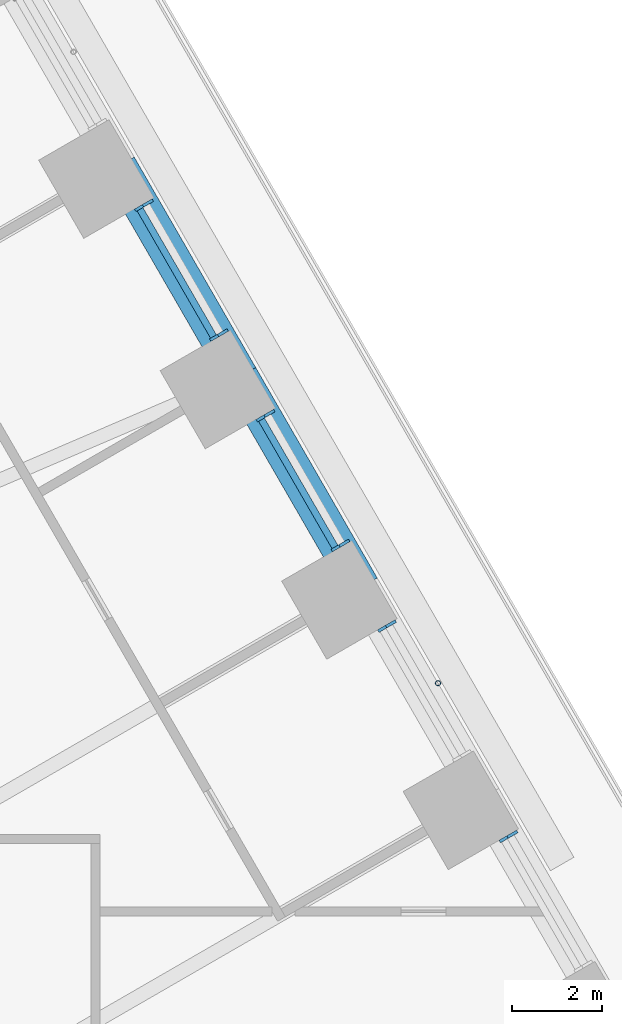
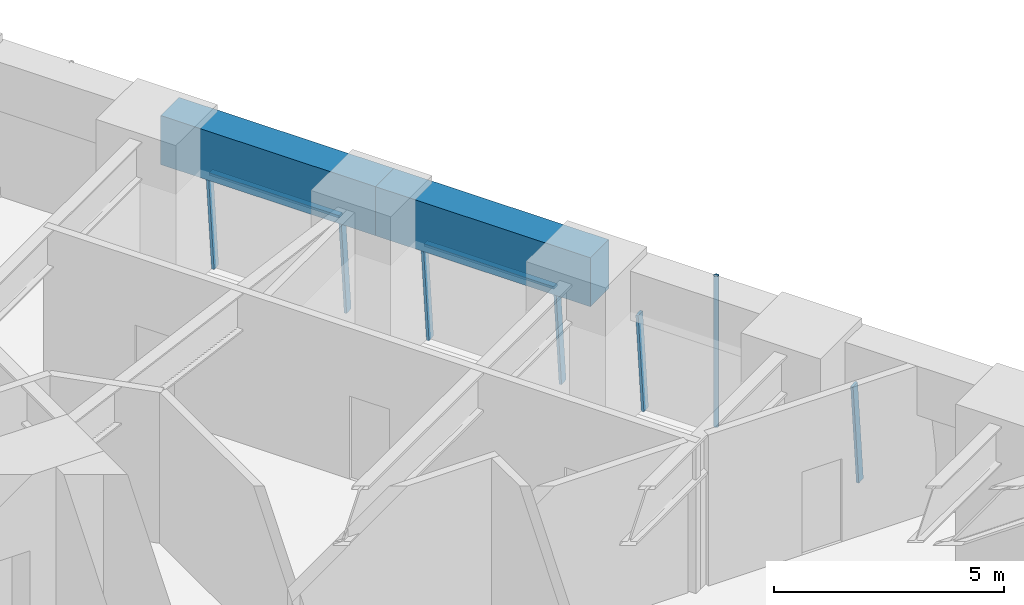
# One storey, part 13 of 23: 9 members, 2 beams, 4 elements without a shape of their own.
"""IFC4 building model written with IfcOpenShell, lengths in metres."""

from ifc_helpers import new_model, si_unit, direction, frame, origin, origin_2d, place, context, subcontext, project, spatial, rectangle, hollow_circle, extrude, material, material_profile, profile_set, type_object, element, aggregate, save


model = new_model("IFC4")

# Units and contexts
model_context = context("Model", 3, precision=1e-05, world=origin(), true_north=direction((0.0, 1.0)))
body_context = subcontext(model_context, "Body", "Model", "MODEL_VIEW")
ifc_project = project(units=[si_unit("LENGTHUNIT", "METRE"), si_unit("AREAUNIT", "SQUARE_METRE"), si_unit("VOLUMEUNIT", "CUBIC_METRE"), si_unit("PLANEANGLEUNIT", "RADIAN"), si_unit("MASSUNIT", "GRAM", prefix="KILO")], contexts=[model_context])

# Site, building, storey
site_placement = place(None, origin())
site = spatial("IfcSite", under=ifc_project, at=site_placement, CompositionType="ELEMENT")
building_placement = place(site_placement, origin())
building = spatial("IfcBuilding", under=site, at=building_placement, Name="Tarfa Lantern Tower", CompositionType="ELEMENT")
storey_placement = place(building_placement, frame((0.0, 0.0, 44.5)))
storey = spatial("IfcBuildingStorey", under=building, at=storey_placement, Name="L09", CompositionType="ELEMENT", Elevation=44.5)

# Curtain wall, member
ifc_material_1 = material(Name="Aluminium framed curtain wall", Category="aluminium")
curtain_wall_type = type_object("IfcCurtainWallType", Name="CW1 CANTED GLAZING LOW ZONE 2700", PredefinedType="USERDEFINED", material=ifc_material_1)
curtain_wall_1_placement = place(storey_placement, origin())
curtain_wall_1 = element("IfcCurtainWall", 1, at=curtain_wall_1_placement, inside=storey, type_object=curtain_wall_type, Name="CW1 NE L09", ObjectType="CURTAIN WALL", PredefinedType="USERDEFINED")
ifc_material_2 = material(Name="Aluminium mullion", Category="aluminium")
ifc_material_profile_1 = material_profile(ifc_material_2, rectangle(XDim=0.06494140625, YDim=0.199951171875, at=origin_2d()), Name="AL MULLION 65x200")
ifc_profile_set_1 = profile_set([ifc_material_profile_1], Name="Aluminium mullion")
member_type_1 = type_object("IfcMemberType", Name="CWM1 MULLION 65x200", PredefinedType="MULLION", material=ifc_profile_set_1)
member_1_placement = place(storey_placement, frame((35.26318359375, 6.722412109375, 0.0), z_axis=(-0.07986442134, -0.046099868913, 0.99573916077), x_axis=(0.499919672301, -0.866071776036, 0.0)))
member_1 = element("IfcMember", 2, at=member_1_placement, type_object=member_type_1, Name="CW1 mullion 2", PredefinedType="MULLION", context=body_context, shape_type="SweptSolid", body=[
    extrude(rectangle(XDim=0.06494140625, YDim=0.199951171875, at=origin_2d()), origin(), (0.0, 0.0, 1.0), 2.71142578125),
])
aggregate(curtain_wall_1, [member_1])

curtain_wall_2_placement = place(storey_placement, origin())
curtain_wall_2 = element("IfcCurtainWall", 3, at=curtain_wall_2_placement, inside=storey, type_object=curtain_wall_type, Name="CW1 NE L09", ObjectType="CURTAIN WALL", PredefinedType="USERDEFINED")
member_2_placement = place(storey_placement, frame((32.56884765625, 11.38916015625, 0.0), z_axis=(-0.07986442134, -0.046099868913, 0.99573916077), x_axis=(0.499919672301, -0.866071776036, 0.0)))
member_2 = element("IfcMember", 4, at=member_2_placement, type_object=member_type_1, Name="CW1 mullion 2", PredefinedType="MULLION", context=body_context, shape_type="SweptSolid", body=[
    extrude(rectangle(XDim=0.06494140625, YDim=0.199951171875, at=origin_2d()), origin(), (0.0, 0.0, 1.0), 2.71142578125),
])
aggregate(curtain_wall_2, [member_2])

# Curtain wall, members
curtain_wall_3_placement = place(storey_placement, origin())
curtain_wall_3 = element("IfcCurtainWall", 5, at=curtain_wall_3_placement, inside=storey, type_object=curtain_wall_type, Name="CW1 NE L09", ObjectType="CURTAIN WALL", PredefinedType="USERDEFINED")
member_3_placement = place(storey_placement, frame((31.536376953125, 13.177490234375, 0.0), z_axis=(-0.07986442134, -0.046099868913, 0.99573916077), x_axis=(0.499919672301, -0.866071776036, 0.0)))
member_3 = element("IfcMember", 6, at=member_3_placement, type_object=member_type_1, Name="CW1 mullion 1", PredefinedType="MULLION", context=body_context, shape_type="SweptSolid", body=[
    extrude(rectangle(XDim=0.06494140625, YDim=0.199951171875, at=origin_2d()), origin(), (0.0, 0.0, 1.0), 2.71142578125),
])
member_4_placement = place(storey_placement, frame((29.87451171875, 16.055908203125, 0.0), z_axis=(-0.07986442134, -0.046099868913, 0.99573916077), x_axis=(0.499919672301, -0.866071776036, 0.0)))
member_4 = element("IfcMember", 7, at=member_4_placement, type_object=member_type_1, Name="CW1 mullion 2", PredefinedType="MULLION", context=body_context, shape_type="SweptSolid", body=[
    extrude(rectangle(XDim=0.06494140625, YDim=0.199951171875, at=origin_2d()), origin(), (0.0, 0.0, 1.0), 2.71142578125),
])

curtain_wall_4_placement = place(storey_placement, origin())
curtain_wall_4 = element("IfcCurtainWall", 8, at=curtain_wall_4_placement, inside=storey, type_object=curtain_wall_type, Name="CW1 NE L09", ObjectType="CURTAIN WALL", PredefinedType="USERDEFINED")
member_5_placement = place(storey_placement, frame((28.842041015625, 17.84423828125, 0.0), z_axis=(-0.07986442134, -0.046099868913, 0.99573916077), x_axis=(0.499919672301, -0.866071776036, 0.0)))
member_5 = element("IfcMember", 9, at=member_5_placement, type_object=member_type_1, Name="CW1 mullion 1", PredefinedType="MULLION", context=body_context, shape_type="SweptSolid", body=[
    extrude(rectangle(XDim=0.06494140625, YDim=0.199951171875, at=origin_2d()), origin(), (0.0, 0.0, 1.0), 2.71142578125),
])
member_6_placement = place(storey_placement, frame((27.18017578125, 20.722412109375, 0.0), z_axis=(-0.07986442134, -0.046099868913, 0.99573916077), x_axis=(0.499919672301, -0.866071776036, 0.0)))
member_6 = element("IfcMember", 10, at=member_6_placement, type_object=member_type_1, Name="CW1 mullion 2", PredefinedType="MULLION", context=body_context, shape_type="SweptSolid", body=[
    extrude(rectangle(XDim=0.06494140625, YDim=0.199951171875, at=origin_2d()), origin(), (0.0, 0.0, 1.0), 2.71142578125),
])

# Member
ifc_material_3 = material(Name="Aluminium transom", Category="aluminium")
ifc_material_profile_2 = material_profile(ifc_material_3, rectangle(XDim=0.14990234375, YDim=0.06494140625, at=origin_2d()), Name="AL TRANSOM 150x65")
ifc_profile_set_2 = profile_set([ifc_material_profile_2], Name="Aluminium transom")
member_type_2 = type_object("IfcMemberType", Name="CWT1 TRANSOM 150x65", PredefinedType="USERDEFINED", material=ifc_profile_set_2)
member_7_placement = place(storey_placement, frame((31.30615234375, 13.082275390625, 2.66748046875), z_axis=(-0.500022939057, 0.866012159509, 0.0), x_axis=(-0.866012159509, -0.500022939057, 0.0)))
member_7 = element("IfcMember", 11, at=member_7_placement, type_object=member_type_2, Name="CW1 transom 1.2", ObjectType="TRANSOM", PredefinedType="USERDEFINED", context=body_context, shape_type="SweptSolid", body=[
    extrude(rectangle(XDim=0.14990234375, YDim=0.06494140625, at=origin_2d()), origin(), (0.0, 0.0, 1.0), 3.258544921875),
])

aggregate(curtain_wall_3, [member_3, member_4, member_7])

member_8_placement = place(storey_placement, frame((28.61181640625, 17.748779296875, 2.66748046875), z_axis=(-0.499966746847, 0.86604460165, 0.0), x_axis=(-0.86604460165, -0.499966746847, 0.0)))
member_8 = element("IfcMember", 12, at=member_8_placement, type_object=member_type_2, Name="CW1 transom 1.2", ObjectType="TRANSOM", PredefinedType="USERDEFINED", context=body_context, shape_type="SweptSolid", body=[
    extrude(rectangle(XDim=0.14990234375, YDim=0.06494140625, at=origin_2d()), origin(), (0.0, 0.0, 1.0), 3.258544921875),
])

aggregate(curtain_wall_4, [member_5, member_6, member_8])

# Beams
ifc_material_4 = material(Name="Concrete C80/95", Category="concrete")
ifc_material_profile_3 = material_profile(ifc_material_4, rectangle(XDim=0.800048828125, YDim=1.300048828125, at=origin_2d()), Name="RC 800x1300")
ifc_profile_set_3 = profile_set([ifc_material_profile_3], Name="Concrete C80/95")
beam_type = type_object("IfcBeamType", Name="EB1 RC 800x1300", PredefinedType="SPANDREL", material=ifc_profile_set_3)
beam_1_placement = place(storey_placement, frame((31.896728515625, 12.193359375, 3.35009765625), z_axis=(-0.499998287579, 0.866026392449, 0.0), x_axis=(-0.866026392449, -0.499998287579, 0.0)))
element("IfcBeam", 13, at=beam_1_placement, inside=storey, type_object=beam_type, Name="Edge beam NE2", PredefinedType="SPANDREL", context=body_context, shape_type="SweptSolid", body=[
    extrude(rectangle(XDim=0.800048828125, YDim=1.300048828125, at=origin_2d()), origin(), (0.0, 0.0, 1.0), 5.388671875),
])
beam_2_placement = place(storey_placement, frame((29.202392578125, 16.860107421875, 3.35009765625), z_axis=(-0.500017906299, 0.866015065331, 0.0), x_axis=(-0.866015065331, -0.500017906299, 0.0)))
element("IfcBeam", 14, at=beam_2_placement, inside=storey, type_object=beam_type, Name="Edge beam NE3", PredefinedType="SPANDREL", context=body_context, shape_type="SweptSolid", body=[
    extrude(rectangle(XDim=0.800048828125, YDim=1.300048828125, at=origin_2d()), origin(), (0.0, 0.0, 1.0), 5.388427734375),
])

# Member
ifc_material_5 = material(Name="Steel S355", Category="steel")
ifc_material_profile_4 = material_profile(ifc_material_5, hollow_circle(Radius=0.05712890625, WallThickness=0.00634765625, at=origin_2d()), Name="CHS114.3x6.3")
ifc_profile_set_4 = profile_set([ifc_material_profile_4], Name="Steel S355")
member_type_3 = type_object("IfcMemberType", Name="TR1 GREEN WALL TRELLIS CHS114.3x6.3", PredefinedType="USERDEFINED", material=ifc_profile_set_4)
member_9_placement = place(storey_placement, frame((33.59033203125, 10.06005859375, 0.0), z_axis=(0.0, 0.0, 1.0), x_axis=(1.0, 0.0, 0.0)))
element("IfcMember", 15, at=member_9_placement, inside=storey, type_object=member_type_3, Name="Trellis post NE 1", ObjectType="TRELLIS", PredefinedType="USERDEFINED", context=body_context, shape_type="SweptSolid", body=[
    extrude(hollow_circle(Radius=0.05712890625, WallThickness=0.00634765625, at=origin_2d()), origin(), (0.0, 0.0, 1.0), 4.0),
])

save(model, "model.ifc")
